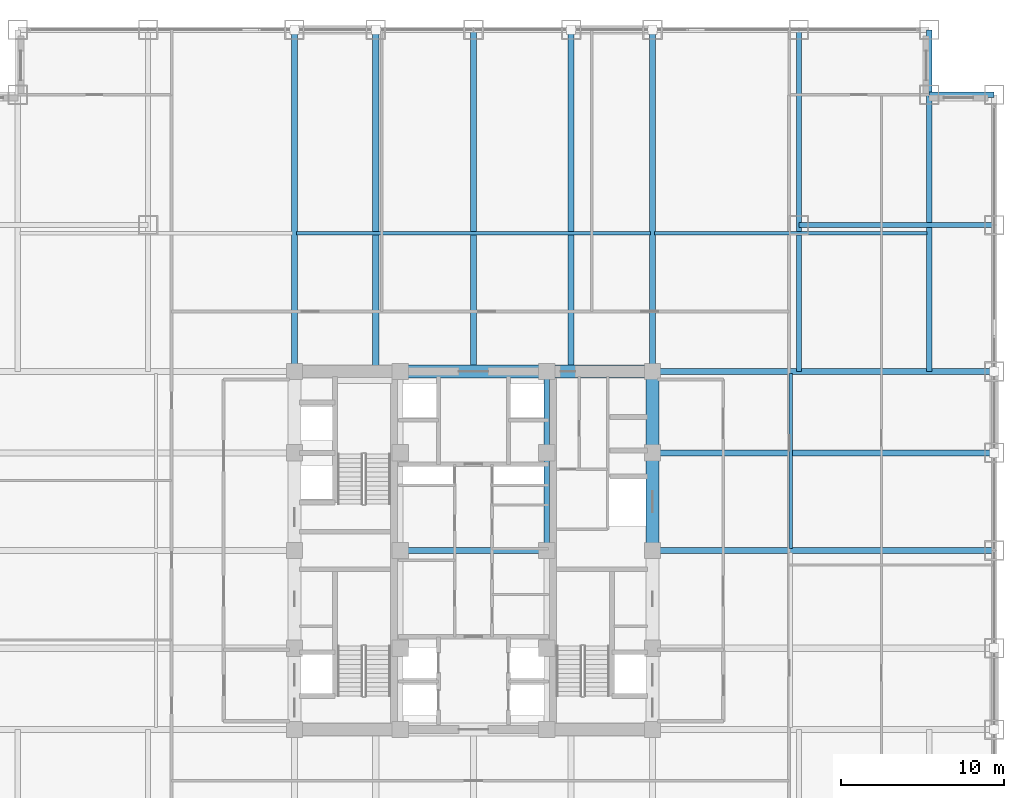
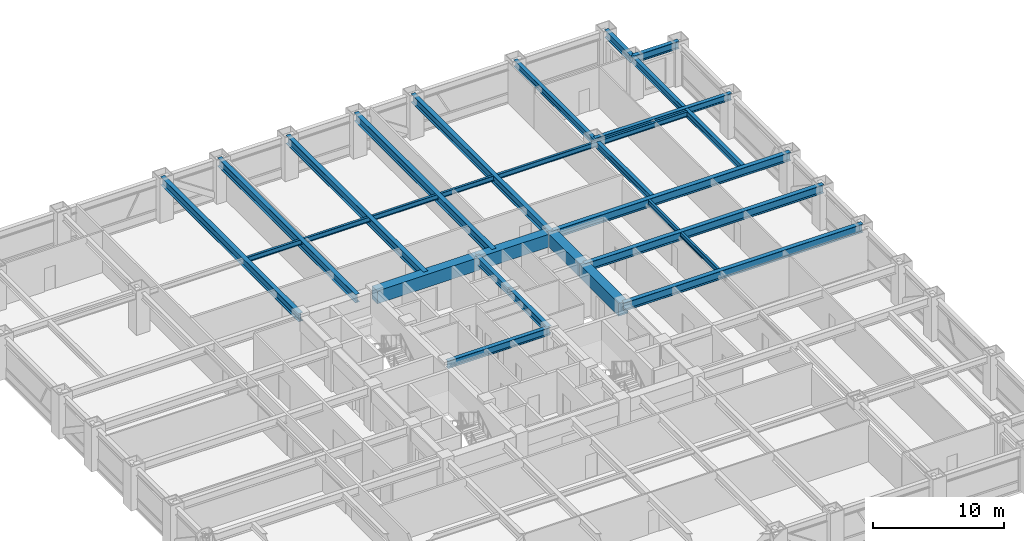
# One storey, part 11 of 28: 23 beams.
"""IFC4 building model written with IfcOpenShell, lengths in metres."""

from ifc_helpers import new_model, si_unit, direction, frame, origin, origin_2d, place, context, subcontext, project, spatial, rectangle, i_section, extrude, source, transform, mapped, material, material_profile, profile_set, type_object, element, save


model = new_model("IFC4")

# Units and contexts
model_context = context("Model", 3, precision=1e-05, world=origin(), true_north=direction((0.0, 1.0)))
body_context = subcontext(model_context, "Body", "Model", "MODEL_VIEW")
ifc_project = project(units=[si_unit("LENGTHUNIT", "METRE"), si_unit("AREAUNIT", "SQUARE_METRE"), si_unit("VOLUMEUNIT", "CUBIC_METRE"), si_unit("PLANEANGLEUNIT", "RADIAN"), si_unit("MASSUNIT", "GRAM", prefix="KILO")], contexts=[model_context])

# Site, building, storey
site_placement = place(None, origin())
site = spatial("IfcSite", under=ifc_project, at=site_placement, CompositionType="ELEMENT")
building_placement = place(site_placement, origin())
building = spatial("IfcBuilding", under=site, at=building_placement, Name="Khorayat Bourse Tower", CompositionType="ELEMENT")
storey_placement = place(building_placement, frame((0.0, 0.0, 124.199951171875)))
storey = spatial("IfcBuildingStorey", under=building, at=storey_placement, Name="L28", CompositionType="ELEMENT", Elevation=124.199951171875)

# Beams
ifc_material_1 = material(Name="Concrete C72/90", Category="concrete")
ifc_material_profile_1 = material_profile(ifc_material_1, rectangle(XDim=0.800048828125, YDim=1.199951171875, at=origin_2d()), Name="RC 800x1200")
ifc_profile_set_1 = profile_set([ifc_material_profile_1], Name="Concrete C72/90")
beam_type_1 = type_object("IfcBeamType", Name="BM-COUP-1200", PredefinedType="BEAM", material=ifc_profile_set_1)
shared_shape_1 = source(origin(), body_context, "Body", "SweptSolid", [
    extrude(rectangle(XDim=0.800048828125, YDim=1.199951171875, at=origin_2d()), origin(), (0.0, 0.0, 1.0), 5.0),
])
beam_1_placement = place(storey_placement, frame((11.0, 6.0, 3.239990234375), z_axis=(0.0, 1.0, 0.0), x_axis=(-1.0, 0.0, 0.0)))
element("IfcBeam", 1, at=beam_1_placement, inside=storey, type_object=beam_type_1, Name="L28 BM-COUP-1200 BM-L28-CRX-16", PredefinedType="BEAM", context=body_context, shape_type="MappedRepresentation", body=[
    mapped(shared_shape_1, transform((0.0, 0.0, 0.0), scale=1.0)),
])
shared_shape_2 = source(origin(), body_context, "Body", "SweptSolid", [
    extrude(rectangle(XDim=0.800048828125, YDim=1.199951171875, at=origin_2d()), origin(), (0.0, 0.0, 1.0), 6.0),
])
beam_2_placement = place(storey_placement, frame((11.0, 0.0, 3.239990234375), z_axis=(0.0, 1.0, 0.0), x_axis=(-1.0, 0.0, 0.0)))
element("IfcBeam", 2, at=beam_2_placement, inside=storey, type_object=beam_type_1, Name="L28 BM-COUP-1200 BM-L28-CRX-15", PredefinedType="BEAM", context=body_context, shape_type="MappedRepresentation", body=[
    mapped(shared_shape_2, transform((0.0, 0.0, 0.0), scale=1.0)),
])
ifc_material_2 = material(Name="Steel ASTM A992 Grade 50", Category="steel")
ifc_material_profile_2 = material_profile(ifc_material_2, i_section(OverallWidth=0.35498046875, OverallDepth=0.695068359375, WebThickness=0.015380859375, FlangeThickness=0.02490234375, FilletRadius=0.01806640625, at=origin_2d()), Name="W690X217")
ifc_profile_set_2 = profile_set([ifc_material_profile_2], Name="Steel ASTM A992 Grade 50")
beam_type_2 = type_object("IfcBeamType", Name="BM-GIRD-690", PredefinedType="BEAM", material=ifc_profile_set_2)
shared_shape_3 = source(origin(), body_context, "Body", "SweptSolid", [
    extrude(i_section(OverallWidth=0.35498046875, OverallDepth=0.695068359375, WebThickness=0.015380859375, FlangeThickness=0.02490234375, FilletRadius=0.01806640625, at=origin_2d()), origin(), (0.0, 0.0, 1.0), 5.0),
])
beam_3_placement = place(storey_placement, frame((4.5, 6.0, 3.492431640625), z_axis=(0.0, 1.0, 0.0), x_axis=(-1.0, 0.0, 0.0)))
element("IfcBeam", 3, at=beam_3_placement, inside=storey, type_object=beam_type_2, Name="L28 BM-GIRD-690 BM-L28-CRX-12", PredefinedType="BEAM", context=body_context, shape_type="MappedRepresentation", body=[
    mapped(shared_shape_3, transform((0.0, 0.0, 0.0), scale=1.0)),
])
shared_shape_4 = source(origin(), body_context, "Body", "SweptSolid", [
    extrude(i_section(OverallWidth=0.35498046875, OverallDepth=0.695068359375, WebThickness=0.015380859375, FlangeThickness=0.02490234375, FilletRadius=0.01806640625, at=origin_2d()), origin(), (0.0, 0.0, 1.0), 6.0),
])
beam_4_placement = place(storey_placement, frame((4.5, 0.0, 3.492431640625), z_axis=(0.0, 1.0, 0.0), x_axis=(-1.0, 0.0, 0.0)))
element("IfcBeam", 4, at=beam_4_placement, inside=storey, type_object=beam_type_2, Name="L28 BM-GIRD-690 BM-L28-CRX-11", PredefinedType="BEAM", context=body_context, shape_type="MappedRepresentation", body=[
    mapped(shared_shape_4, transform((0.0, 0.0, 0.0), scale=1.0)),
])
shared_shape_5 = source(origin(), body_context, "Body", "SweptSolid", [
    extrude(rectangle(XDim=0.800048828125, YDim=1.199951171875, at=origin_2d()), origin(), (0.0, 0.0, 1.0), 6.5),
])
beam_5_placement = place(storey_placement, frame((4.5, 11.0, 3.239990234375), z_axis=(1.0, 0.0, 0.0), x_axis=(0.0, 1.0, 0.0)))
element("IfcBeam", 5, at=beam_5_placement, inside=storey, type_object=beam_type_1, Name="L28 BM-COUP-1200 BM-L28-CRY-22", PredefinedType="BEAM", context=body_context, shape_type="MappedRepresentation", body=[
    mapped(shared_shape_5, transform((0.0, 0.0, 0.0), scale=1.0)),
])
shared_shape_6 = source(origin(), body_context, "Body", "SweptSolid", [
    extrude(rectangle(XDim=0.800048828125, YDim=1.199951171875, at=origin_2d()), origin(), (0.0, 0.0, 1.0), 9.0),
])
beam_6_placement = place(storey_placement, frame((-4.5, 11.0, 3.239990234375), z_axis=(1.0, 0.0, 0.0), x_axis=(0.0, 1.0, 0.0)))
element("IfcBeam", 6, at=beam_6_placement, inside=storey, type_object=beam_type_1, Name="L28 BM-COUP-1200 BM-L28-CRY-21", PredefinedType="BEAM", context=body_context, shape_type="MappedRepresentation", body=[
    mapped(shared_shape_6, transform((0.0, 0.0, 0.0), scale=1.0)),
])
shared_shape_7 = source(origin(), body_context, "Body", "SweptSolid", [
    extrude(i_section(OverallWidth=0.35498046875, OverallDepth=0.695068359375, WebThickness=0.015380859375, FlangeThickness=0.02490234375, FilletRadius=0.01806640625, at=origin_2d()), origin(), (0.0, 0.0, 1.0), 9.0),
])
beam_7_placement = place(storey_placement, frame((-4.5, 0.0, 3.492431640625), z_axis=(1.0, 0.0, 0.0), x_axis=(0.0, 1.0, 0.0)))
element("IfcBeam", 7, at=beam_7_placement, inside=storey, type_object=beam_type_2, Name="L28 BM-GIRD-690 BM-L28-CRY-23", PredefinedType="BEAM", context=body_context, shape_type="MappedRepresentation", body=[
    mapped(shared_shape_7, transform((0.0, 0.0, 0.0), scale=1.0)),
])
ifc_material_profile_3 = material_profile(ifc_material_2, i_section(OverallWidth=0.324951171875, OverallDepth=0.615966796875, WebThickness=0.013916015625, FlangeThickness=0.021484375, FilletRadius=0.01611328125, at=origin_2d()), Name="W610X174")
ifc_profile_set_3 = profile_set([ifc_material_profile_3], Name="Steel ASTM A992 Grade 50")
beam_type_3 = type_object("IfcBeamType", Name="BM-GIRD-610", PredefinedType="BEAM", material=ifc_profile_set_3)
shared_shape_8 = source(origin(), body_context, "Body", "SweptSolid", [
    extrude(i_section(OverallWidth=0.324951171875, OverallDepth=0.615966796875, WebThickness=0.013916015625, FlangeThickness=0.021484375, FilletRadius=0.01611328125, at=origin_2d()), origin(), (0.0, 0.0, 1.0), 21.0),
])
beam_8_placement = place(storey_placement, frame((20.0, 11.0, 3.531982421875), z_axis=(0.0, 1.0, 0.0), x_axis=(-1.0, 0.0, 0.0)))
element("IfcBeam", 8, at=beam_8_placement, inside=storey, type_object=beam_type_3, Name="L28 BM-GIRD-610 BM-L28-CNRY-087", PredefinedType="BEAM", context=body_context, shape_type="MappedRepresentation", body=[
    mapped(shared_shape_8, transform((0.0, 0.0, 0.0), scale=1.0)),
])
shared_shape_9 = source(origin(), body_context, "Body", "SweptSolid", [
    extrude(i_section(OverallWidth=0.324951171875, OverallDepth=0.615966796875, WebThickness=0.013916015625, FlangeThickness=0.021484375, FilletRadius=0.01611328125, at=origin_2d()), origin(), (0.0, 0.0, 1.0), 12.0),
])
beam_9_placement = place(storey_placement, frame((20.0, 20.0, 3.531982421875), z_axis=(1.0, 0.0, 0.0), x_axis=(0.0, 1.0, 0.0)))
element("IfcBeam", 9, at=beam_9_placement, inside=storey, type_object=beam_type_3, Name="L28 BM-GIRD-610 BM-L28-CNRX-094", PredefinedType="BEAM", context=body_context, shape_type="MappedRepresentation", body=[
    mapped(shared_shape_9, transform((0.0, 0.0, 0.0), scale=1.0)),
])
ifc_material_profile_4 = material_profile(ifc_material_2, i_section(OverallWidth=0.194091796875, OverallDepth=0.468994140625, WebThickness=0.0126953125, FlangeThickness=0.0205078125, FilletRadius=0.012939453125, at=origin_2d()), Name="W460X106")
ifc_profile_set_4 = profile_set([ifc_material_profile_4], Name="Steel ASTM A992 Grade 50")
beam_type_4 = type_object("IfcBeamType", Name="BM-JOIST-460", PredefinedType="JOIST", material=ifc_profile_set_4)
shared_shape_10 = source(origin(), body_context, "Body", "SweptSolid", [
    extrude(i_section(OverallWidth=0.194091796875, OverallDepth=0.468994140625, WebThickness=0.0126953125, FlangeThickness=0.0205078125, FilletRadius=0.012939453125, at=origin_2d()), origin(), (0.0, 0.0, 1.0), 21.740234375),
])
beam_10_placement = place(storey_placement, frame((-10.8701171875, 19.5, 3.60546875), z_axis=(1.0, 0.0, 0.0), x_axis=(0.0, 1.0, 0.0)))
element("IfcBeam", 10, at=beam_10_placement, inside=storey, type_object=beam_type_4, Name="L28 BM-JOIST-460 BM-L28-JSTX-100", PredefinedType="JOIST", context=body_context, shape_type="MappedRepresentation", body=[
    mapped(shared_shape_10, transform((0.0, 0.0, 0.0), scale=1.0)),
])
shared_shape_11 = source(origin(), body_context, "Body", "SweptSolid", [
    extrude(i_section(OverallWidth=0.194091796875, OverallDepth=0.468994140625, WebThickness=0.0126953125, FlangeThickness=0.0205078125, FilletRadius=0.012939453125, at=origin_2d()), origin(), (0.0, 0.0, 1.0), 10.740234375),
])
beam_11_placement = place(storey_placement, frame((19.5, 0.1298828125, 3.60546875), z_axis=(0.0, 1.0, 0.0), x_axis=(-1.0, 0.0, 0.0)))
element("IfcBeam", 11, at=beam_11_placement, inside=storey, type_object=beam_type_4, Name="L28 BM-JOIST-460 BM-L28-JSTY-105", PredefinedType="JOIST", context=body_context, shape_type="MappedRepresentation", body=[
    mapped(shared_shape_11, transform((0.0, 0.0, 0.0), scale=1.0)),
])
ifc_material_profile_5 = material_profile(ifc_material_2, i_section(OverallWidth=0.35498046875, OverallDepth=0.695068359375, WebThickness=0.015380859375, FlangeThickness=0.02490234375, FilletRadius=0.01806640625, at=origin_2d()), Name="W690X217")
ifc_profile_set_5 = profile_set([ifc_material_profile_5], Name="Steel ASTM A992 Grade 50")
beam_type_5 = type_object("IfcBeamType", Name="BM-SPAN-690", PredefinedType="SPANDREL", material=ifc_profile_set_5)
shared_shape_12 = source(origin(), body_context, "Body", "SweptSolid", [
    extrude(i_section(OverallWidth=0.35498046875, OverallDepth=0.695068359375, WebThickness=0.015380859375, FlangeThickness=0.02490234375, FilletRadius=0.01806640625, at=origin_2d()), origin(), (0.0, 0.0, 1.0), 4.0),
])
for number, where, z_axis, x_axis, name in (
    (12, (28.0, 28.0, 3.492431640625), (1.0, 0.0, 0.0), (0.0, 1.0, 0.0), "L28 BM-SPAN-690 BM-L28-SPN-042"),
    (13, (28.0, 28.0, 3.492431640625), (0.0, 1.0, 0.0), (-1.0, 0.0, 0.0), "L28 BM-SPAN-690 BM-L28-SPN-043"),
):
    element("IfcBeam", number, at=place(storey_placement, frame(where, z_axis=z_axis, x_axis=x_axis)), inside=storey, type_object=beam_type_5, Name=name, PredefinedType="SPANDREL", context=body_context, shape_type="MappedRepresentation", body=[
        mapped(shared_shape_12, transform((0.0, 0.0, 0.0), scale=1.0)),
    ])
ifc_material_profile_6 = material_profile(ifc_material_2, i_section(OverallWidth=0.381103515625, OverallDepth=0.77294921875, WebThickness=0.0166015625, FlangeThickness=0.027587890625, FilletRadius=0.01806640625, at=origin_2d()), Name="W760X257")
ifc_profile_set_6 = profile_set([ifc_material_profile_6], Name="Steel ASTM A992 Grade 50")
beam_type_6 = type_object("IfcBeamType", Name="BM-GIRD-760", PredefinedType="BEAM", material=ifc_profile_set_6)
shared_shape_13 = source(origin(), body_context, "Body", "SweptSolid", [
    extrude(i_section(OverallWidth=0.381103515625, OverallDepth=0.77294921875, WebThickness=0.0166015625, FlangeThickness=0.027587890625, FilletRadius=0.01806640625, at=origin_2d()), origin(), (0.0, 0.0, 1.0), 21.0),
])
for number, where, z_axis, x_axis, name in (
    (14, (-11.0, 11.0, 3.45361328125), (0.0, 1.0, 0.0), (-1.0, 0.0, 0.0), "L28 BM-GIRD-760 BM-L28-RADY-064"),
    (15, (-6.0, 11.0, 3.45361328125), (0.0, 1.0, 0.0), (-1.0, 0.0, 0.0), "L28 BM-GIRD-760 BM-L28-RADY-066"),
    (16, (0.0, 11.0, 3.45361328125), (0.0, 1.0, 0.0), (-1.0, 0.0, 0.0), "L28 BM-GIRD-760 BM-L28-RADY-068"),
    (17, (6.0, 11.0, 3.45361328125), (0.0, 1.0, 0.0), (-1.0, 0.0, 0.0), "L28 BM-GIRD-760 BM-L28-RADY-070"),
    (18, (11.0, 11.0, 3.45361328125), (0.0, 1.0, 0.0), (-1.0, 0.0, 0.0), "L28 BM-GIRD-760 BM-L28-RADY-072"),
    (19, (11.0, 0.0, 3.45361328125), (1.0, 0.0, 0.0), (0.0, 1.0, 0.0), "L28 BM-GIRD-760 BM-L28-RADX-078"),
    (20, (11.0, 6.0, 3.45361328125), (1.0, 0.0, 0.0), (0.0, 1.0, 0.0), "L28 BM-GIRD-760 BM-L28-RADX-080"),
    (21, (11.0, 11.0, 3.45361328125), (1.0, 0.0, 0.0), (0.0, 1.0, 0.0), "L28 BM-GIRD-760 BM-L28-RADX-082"),
):
    element("IfcBeam", number, at=place(storey_placement, frame(where, z_axis=z_axis, x_axis=x_axis)), inside=storey, type_object=beam_type_6, Name=name, PredefinedType="BEAM", context=body_context, shape_type="MappedRepresentation", body=[
        mapped(shared_shape_13, transform((0.0, 0.0, 0.0), scale=1.0)),
    ])
shared_shape_14 = source(origin(), body_context, "Body", "SweptSolid", [
    extrude(i_section(OverallWidth=0.324951171875, OverallDepth=0.615966796875, WebThickness=0.013916015625, FlangeThickness=0.021484375, FilletRadius=0.01611328125, at=origin_2d()), origin(), (0.0, 0.0, 1.0), 17.0),
])
beam_12_placement = place(storey_placement, frame((28.0, 11.0, 3.531982421875), z_axis=(0.0, 1.0, 0.0), x_axis=(-1.0, 0.0, 0.0)))
element("IfcBeam", 22, at=beam_12_placement, inside=storey, type_object=beam_type_3, Name="L28 BM-GIRD-610 BM-L28-CNRY-091", PredefinedType="BEAM", context=body_context, shape_type="MappedRepresentation", body=[
    mapped(shared_shape_14, transform((0.0, 0.0, 0.0), scale=1.0)),
])
shared_shape_15 = source(origin(), body_context, "Body", "SweptSolid", [
    extrude(i_section(OverallWidth=0.194091796875, OverallDepth=0.468994140625, WebThickness=0.0126953125, FlangeThickness=0.0205078125, FilletRadius=0.012939453125, at=origin_2d()), origin(), (0.0, 0.0, 1.0), 16.740234375),
])
beam_13_placement = place(storey_placement, frame((11.1298828125, 19.5, 3.60546875), z_axis=(1.0, 0.0, 0.0), x_axis=(0.0, 1.0, 0.0)))
element("IfcBeam", 23, at=beam_13_placement, inside=storey, type_object=beam_type_4, Name="L28 BM-JOIST-460 BM-L28-JSTX-101", PredefinedType="JOIST", context=body_context, shape_type="MappedRepresentation", body=[
    mapped(shared_shape_15, transform((0.0, 0.0, 0.0), scale=1.0)),
])

save(model, "model.ifc")
